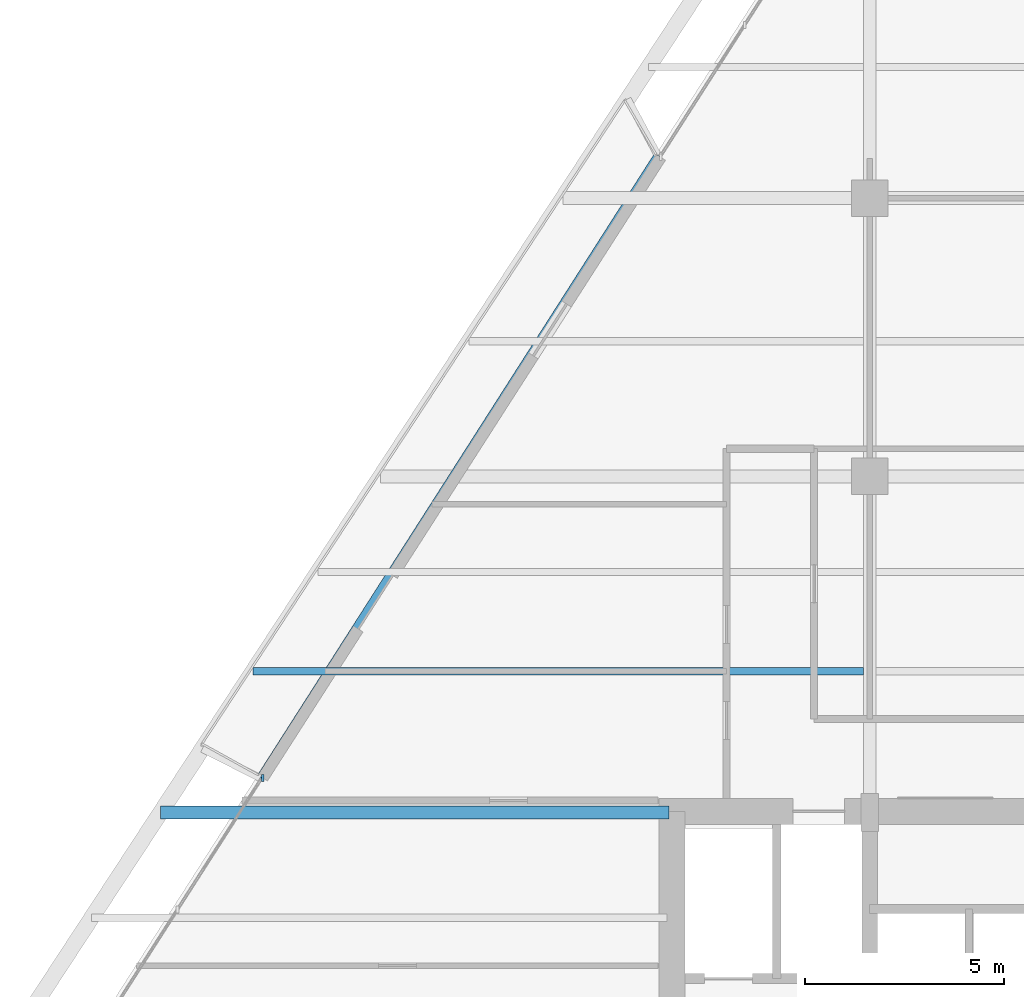
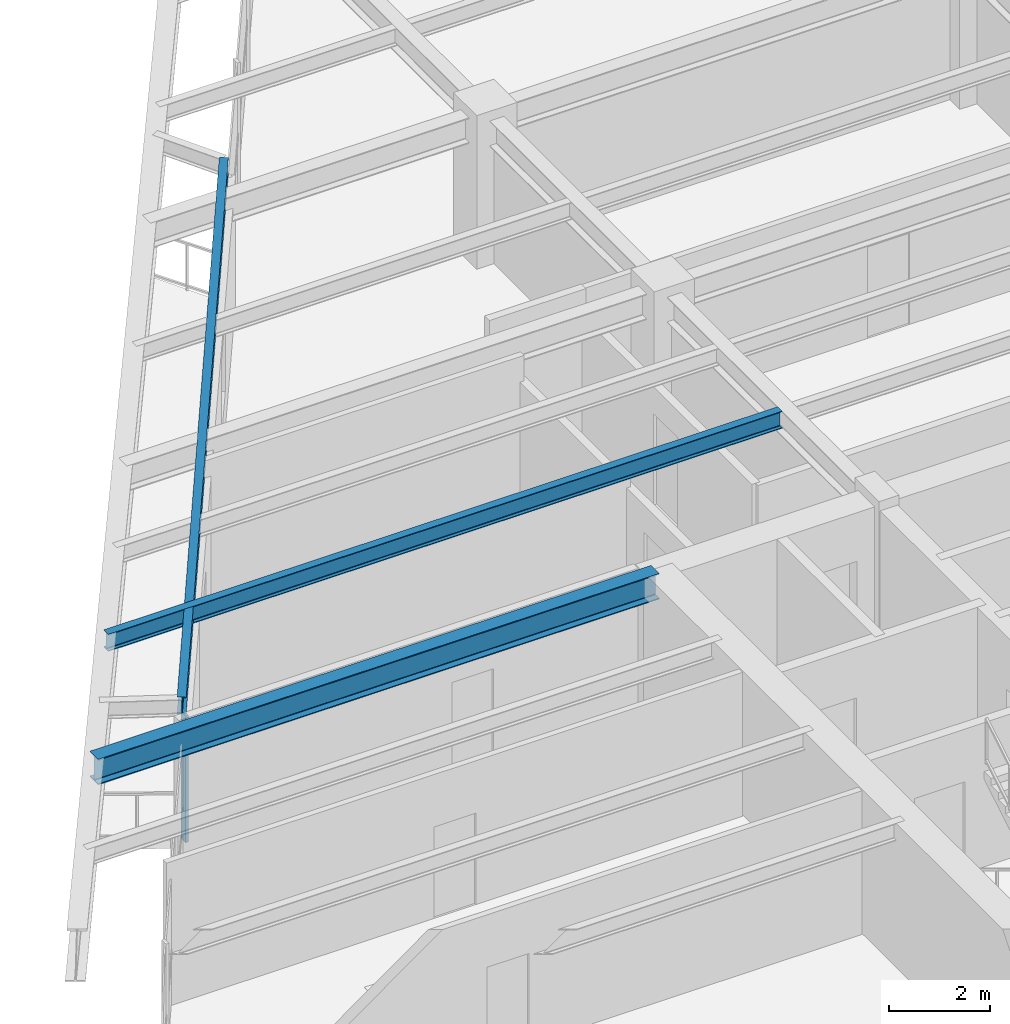
# One storey, part 4 of 15: 3 beams, 1 member, 1 element without a shape of its own.
"""IFC4 building model written with IfcOpenShell, lengths in metres."""

from ifc_helpers import new_model, si_unit, direction, frame, origin, origin_2d, place, context, subcontext, project, spatial, rectangle, i_section, extrude, source, transform, mapped, material, material_profile, profile_set, type_object, element, aggregate, save


model = new_model("IFC4")

# Units and contexts
model_context = context("Model", 3, precision=1e-05, world=origin(), true_north=direction((0.0, 1.0)))
body_context = subcontext(model_context, "Body", "Model", "MODEL_VIEW")
ifc_project = project(units=[si_unit("LENGTHUNIT", "METRE"), si_unit("AREAUNIT", "SQUARE_METRE"), si_unit("VOLUMEUNIT", "CUBIC_METRE"), si_unit("PLANEANGLEUNIT", "RADIAN"), si_unit("MASSUNIT", "GRAM", prefix="KILO")], contexts=[model_context])

# Site, building, storey
site_placement = place(None, origin())
site = spatial("IfcSite", under=ifc_project, at=site_placement, CompositionType="ELEMENT")
building_placement = place(site_placement, origin())
building = spatial("IfcBuilding", under=site, at=building_placement, Name="Varnakhor Terracotta Tower", CompositionType="ELEMENT")
storey_placement = place(building_placement, frame((0.0, 0.0, 155.199951171875)))
storey = spatial("IfcBuildingStorey", under=building, at=storey_placement, Name="L39", CompositionType="ELEMENT", Elevation=155.199951171875)

# Beams
ifc_material_1 = material(Name="Steel S355", Category="steel")
ifc_material_profile_1 = material_profile(ifc_material_1, i_section(OverallWidth=0.179931640625, OverallDepth=0.39990234375, WebThickness=0.008544921875, FlangeThickness=0.013427734375, FilletRadius=0.01806640625, at=origin_2d()), Name="IPE400")
ifc_profile_set_1 = profile_set([ifc_material_profile_1], Name="Steel S355")
beam_type_1 = type_object("IfcBeamType", Name="JST-IPE400", PredefinedType="JOIST", material=ifc_profile_set_1)
shared_shape_1 = source(origin(), body_context, "Body", "SweptSolid", [
    extrude(i_section(OverallWidth=0.179931640625, OverallDepth=0.39990234375, WebThickness=0.008544921875, FlangeThickness=0.013427734375, FilletRadius=0.01806640625, at=origin_2d()), origin(), (0.0, 0.0, 1.0), 18.58642578125),
])
beam_1_placement = place(storey_placement, frame((-10.830810546875, 32.5810546875, 3.27001953125), z_axis=(-0.538291588768, -0.842758663831, 0.0), x_axis=(0.842758663831, -0.538291588768, 0.0)))
element("IfcBeam", 1, at=beam_1_placement, inside=storey, type_object=beam_type_1, Name="L39 Loggia Edge Beam 2", PredefinedType="JOIST", context=body_context, shape_type="MappedRepresentation", body=[
    mapped(shared_shape_1, transform((0.0, 0.0, 0.0), scale=1.0)),
])
ifc_material_profile_2 = material_profile(ifc_material_1, i_section(OverallWidth=0.324951171875, OverallDepth=0.615966796875, WebThickness=0.013916015625, FlangeThickness=0.02197265625, FilletRadius=0.01806640625, at=origin_2d()), Name="W24X117")
ifc_profile_set_2 = profile_set([ifc_material_profile_2], Name="Steel S355")
beam_type_2 = type_object("IfcBeamType", Name="BM-W24X117", PredefinedType="BEAM", material=ifc_profile_set_2)
shared_shape_2 = source(origin(), body_context, "Body", "SweptSolid", [
    extrude(i_section(OverallWidth=0.324951171875, OverallDepth=0.615966796875, WebThickness=0.013916015625, FlangeThickness=0.02197265625, FilletRadius=0.01806640625, at=origin_2d()), origin(), (0.0, 0.0, 1.0), 12.783447265625),
])
beam_2_placement = place(storey_placement, frame((-23.33349609375, 16.050048828125, 3.162109375), z_axis=(1.0, 0.0, 0.0), x_axis=(0.0, 1.0, 0.0)))
element("IfcBeam", 2, at=beam_2_placement, inside=storey, type_object=beam_type_2, Name="L39 Wing Girder W", PredefinedType="BEAM", context=body_context, shape_type="MappedRepresentation", body=[
    mapped(shared_shape_2, transform((0.0, 0.0, 0.0), scale=1.0)),
])
ifc_material_profile_3 = material_profile(ifc_material_1, i_section(OverallWidth=0.179931640625, OverallDepth=0.4130859375, WebThickness=0.009765625, FlangeThickness=0.01611328125, FilletRadius=0.01806640625, at=origin_2d()), Name="W16X50")
ifc_profile_set_3 = profile_set([ifc_material_profile_3], Name="Steel S355")
beam_type_3 = type_object("IfcBeamType", Name="JST-W16X50", PredefinedType="JOIST", material=ifc_profile_set_3)
shared_shape_3 = source(origin(), body_context, "Body", "SweptSolid", [
    extrude(i_section(OverallWidth=0.179931640625, OverallDepth=0.4130859375, WebThickness=0.009765625, FlangeThickness=0.01611328125, FilletRadius=0.01806640625, at=origin_2d()), origin(), (0.0, 0.0, 1.0), 15.35107421875),
])
beam_3_placement = place(storey_placement, frame((-21.009521484375, 19.60009765625, 3.263427734375), z_axis=(1.0, 0.0, 0.0), x_axis=(0.0, 1.0, 0.0)))
element("IfcBeam", 3, at=beam_3_placement, inside=storey, type_object=beam_type_3, Name="L39 Composite Floor Joist 4-1", PredefinedType="JOIST", context=body_context, shape_type="MappedRepresentation", body=[
    mapped(shared_shape_3, transform((0.0, 0.0, 0.0), scale=1.0)),
])

# Curtain wall, member
ifc_material_2 = material(Name="Anodised Aluminium Curtain Wall System", Category="aluminium")
curtain_wall_type = type_object("IfcCurtainWallType", Name="CW-SYS-MID-OFFICE", PredefinedType="NOTDEFINED", material=ifc_material_2)
curtain_wall_placement = place(storey_placement, origin())
curtain_wall = element("IfcCurtainWall", 4, at=curtain_wall_placement, inside=storey, type_object=curtain_wall_type, Name="L39 W Facet Curtain Wall 1", PredefinedType="NOTDEFINED")
ifc_material_3 = material(Name="Anodised Aluminium 6063-T6", Category="aluminium")
ifc_material_profile_4 = material_profile(ifc_material_3, rectangle(XDim=0.070068359375, YDim=0.175048828125, at=origin_2d()), Name="ALU MULLION 70x175")
ifc_profile_set_4 = profile_set([ifc_material_profile_4], Name="Anodised Aluminium 6063-T6")
member_type = type_object("IfcMemberType", Name="CWM-03", PredefinedType="MULLION", material=ifc_profile_set_4)
shared_shape_4 = source(origin(), body_context, "Body", "SweptSolid", [
    extrude(rectangle(XDim=0.070068359375, YDim=0.175048828125, at=origin_2d()), origin(), (0.0, 0.0, 1.0), 3.050048828125),
])
member_placement = place(storey_placement, frame((-20.763427734375, 16.9189453125, 0.0), z_axis=(0.0, 0.0, 1.0), x_axis=(1.0, 0.0, 0.0)))
member = element("IfcMember", 5, at=member_placement, type_object=member_type, Name="L39 W Loggia Jamb Closure Mullion 1", PredefinedType="MULLION", context=body_context, shape_type="MappedRepresentation", body=[
    mapped(shared_shape_4, transform((0.0, 0.0, 0.0), scale=1.0)),
])
aggregate(curtain_wall, [member])

save(model, "model.ifc")
